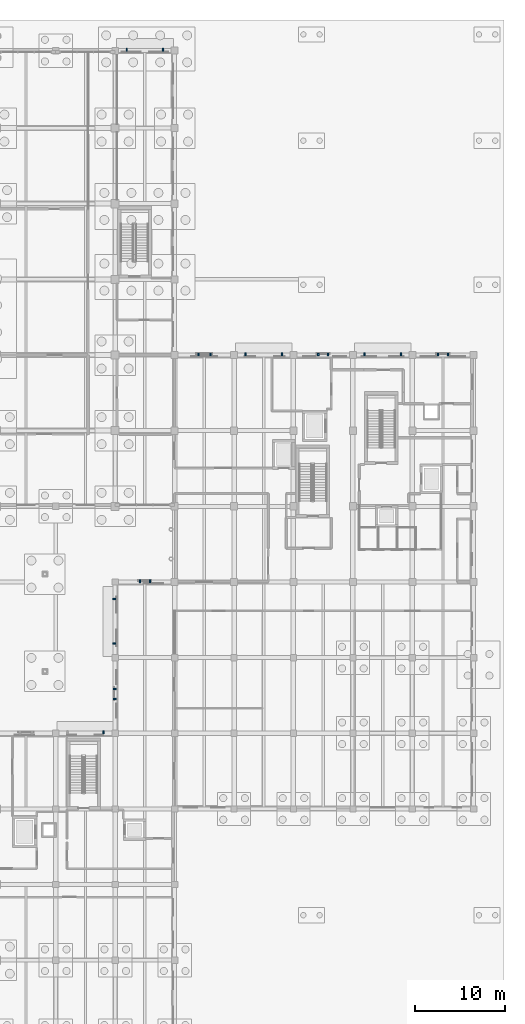
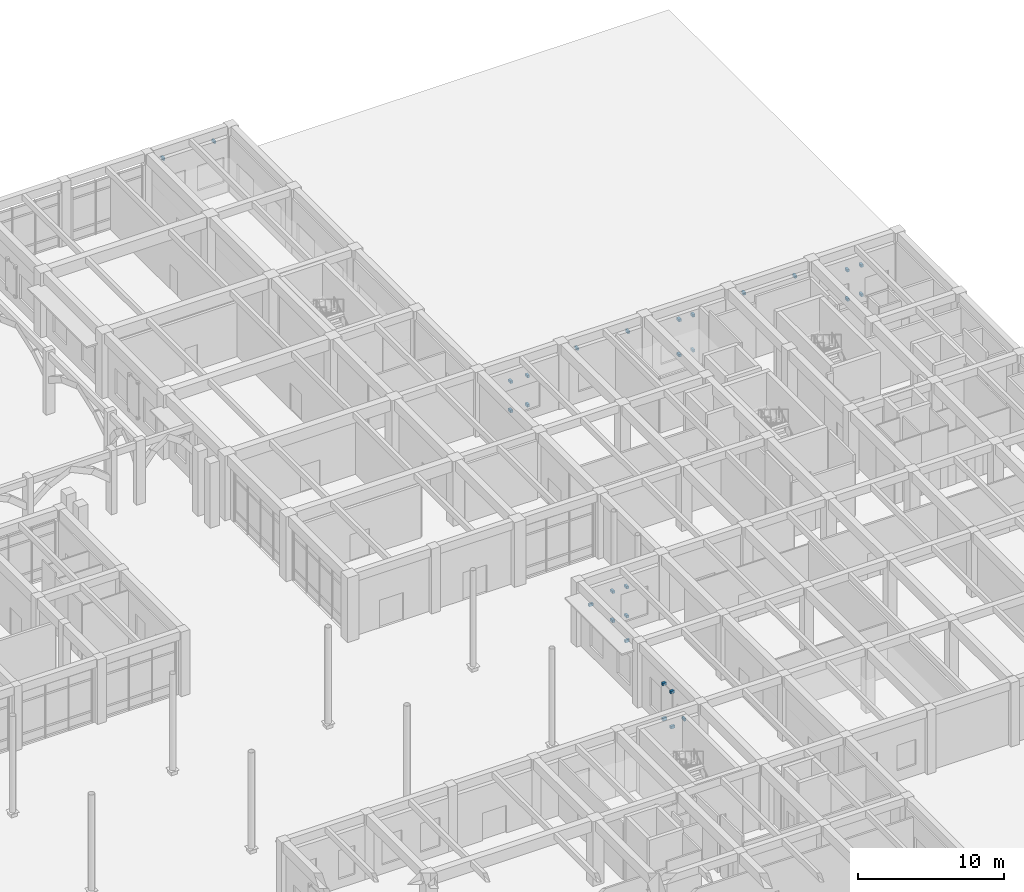
# One storey, part 70 of 82: 29 discrete accessories.
"""IFC4 building model written with IfcOpenShell, lengths in metres."""

import ifcopenshell
import ifcopenshell.guid

model = None  # the IFC model being written
_history = None  # IfcOwnerHistory: only IFC2X3 demands one
_inside = {}  # id of a spatial element -> (the spatial element, [elements in it])
_under = {}  # id of a project, library or spatial element -> (it, [spatial elements below it])
_declared = {}  # id of a project -> (the project, [libraries it declares])
_typed = {}  # id of a type object -> (the type object, [elements of that type])
_made_of = {}  # id of a material, layer set ... -> (it, [elements and type objects made of it])


def new_model(schema):
    """Start an empty IFC model of exactly this schema.

    Asked for "IFC4X3", IfcOpenShell would pick the latest addendum, in which some entities
    have other attributes; the version numbers below select the first issue.
    IFC2X3 requires an IfcOwnerHistory on every rooted entity: one is made here for all.
    """
    global model, _history
    if schema == "IFC4X3":
        model = ifcopenshell.file(schema_version=(4, 3, 0, 0))
    else:
        model = ifcopenshell.file(schema=schema)
    _inside.clear()
    _under.clear()
    _declared.clear()
    _typed.clear()
    _made_of.clear()
    _history = None
    if model.schema == "IFC2X3":
        org = make("IfcOrganization", Name="unknown")
        user = make(
            "IfcPersonAndOrganization",
            ThePerson=make("IfcPerson", FamilyName="unknown"),
            TheOrganization=org,
        )
        app = make(
            "IfcApplication",
            ApplicationDeveloper=org,
            Version="unknown",
            ApplicationFullName="unknown",
            ApplicationIdentifier="unknown",
        )
        _history = make(
            "IfcOwnerHistory",
            OwningUser=user,
            OwningApplication=app,
            ChangeAction="ADDED",
            CreationDate=0,
        )
    return model


def make(cls, **values):
    """One entity of the class cls with the attributes given. An attribute that is None is left unset."""
    return model.create_entity(
        cls, **{name: value for name, value in values.items() if value is not None}
    )


def rooted(cls, **values):
    """An entity with a GlobalId (a new one), such as an element, a storey or a relation."""
    return make(cls, GlobalId=ifcopenshell.guid.new(), OwnerHistory=_history, **values)


def si_unit(unit_type, name, prefix=None):
    """IfcSIUnit, for example si_unit("LENGTHUNIT", "METRE", prefix="MILLI")."""
    return make("IfcSIUnit", UnitType=unit_type, Prefix=prefix, Name=name)


def assignment(units):
    """IfcUnitAssignment: the units of a project."""
    return None if units is None else make("IfcUnitAssignment", Units=units)


def point(xyz):
    """IfcCartesianPoint."""
    return None if xyz is None else make("IfcCartesianPoint", Coordinates=xyz)


def direction(xyz):
    """IfcDirection."""
    return None if xyz is None else make("IfcDirection", DirectionRatios=xyz)


def frame(location, z_axis=None, x_axis=None):
    """IfcAxis2Placement3D, a coordinate frame: its origin and axes. An axis left out is left unset."""
    return make(
        "IfcAxis2Placement3D",
        Location=point(location),
        Axis=direction(z_axis),
        RefDirection=direction(x_axis),
    )


def frame_2d(location, x_axis=None):
    """IfcAxis2Placement2D, a coordinate frame in the plane: its origin and x axis."""
    return make(
        "IfcAxis2Placement2D", Location=point(location), RefDirection=direction(x_axis)
    )


def origin():
    """The frame at (0, 0, 0) with its axes left unset."""
    return frame((0.0, 0.0, 0.0))


def origin_2d():
    """The frame at (0, 0) in the plane with its x axis left unset."""
    return frame_2d((0.0, 0.0))


def place(relative_to, where):
    """IfcLocalPlacement: puts the frame where relative to a parent placement (None: the world)."""
    return make(
        "IfcLocalPlacement", PlacementRelTo=relative_to, RelativePlacement=where
    )


def context(
    kind, dimensions, precision=None, world=None, true_north=None, identifier=None
):
    """IfcGeometricRepresentationContext, for example the 3D "Model" context."""
    return make(
        "IfcGeometricRepresentationContext",
        ContextIdentifier=identifier,
        ContextType=kind,
        CoordinateSpaceDimension=dimensions,
        Precision=precision,
        WorldCoordinateSystem=world,
        TrueNorth=true_north,
    )


def subcontext(parent, identifier, kind, view, scale=None):
    """IfcGeometricRepresentationSubContext, for example "Body" below "Model"."""
    return make(
        "IfcGeometricRepresentationSubContext",
        ContextIdentifier=identifier,
        ContextType=kind,
        ParentContext=parent,
        TargetScale=scale,
        TargetView=view,
    )


def project(units=None, contexts=None):
    """IfcProject with its units and contexts."""
    return rooted(
        "IfcProject",
        Name="project",
        RepresentationContexts=contexts,
        UnitsInContext=assignment(units),
    )


def spatial(cls, under=None, at=None, **own):
    """A site, building, storey or space (cls), placed at a placement, below another one or the project."""
    s = rooted(cls, ObjectPlacement=at, **own)
    if under is not None:
        _under.setdefault(under.id(), (under, []))[1].append(s)
    return s


def profile(cls, at=None, kind="AREA", **sizes):
    """A parametric profile (cls). Its sizes go by their IFC names, for example OverallWidth=200.0."""
    return make(cls, ProfileType=kind, Position=at, **sizes)


def rectangle(**sizes):
    """IfcRectangleProfileDef."""
    return profile("IfcRectangleProfileDef", **sizes)


def extrude(swept, where, along, depth):
    """IfcExtrudedAreaSolid: the profile swept, set in the frame where, extruded along a direction by depth."""
    return make(
        "IfcExtrudedAreaSolid",
        SweptArea=swept,
        Position=where,
        ExtrudedDirection=direction(along),
        Depth=depth,
    )


def shape(context_of_items, identifier, shape_type, items):
    """IfcShapeRepresentation: the items that make up one representation, for example the "Body"."""
    return make(
        "IfcShapeRepresentation",
        ContextOfItems=context_of_items,
        RepresentationIdentifier=identifier,
        RepresentationType=shape_type,
        Items=items,
    )


def material(Name=None, Category=None):
    """IfcMaterial."""
    return make("IfcMaterial", Name=Name, Category=Category)


def made_of(thing, what):
    """Note that an element or type object is made of a material, layer set ...; save() writes the relation."""
    if what is not None:
        _made_of.setdefault(what.id(), (what, []))[1].append(thing)
    return thing


def type_object(cls, material=None, **own):
    """A type object (cls), such as IfcWallType, which elements share."""
    return made_of(rooted(cls, **own), material)


def element(
    cls,
    number,
    at=None,
    inside=None,
    cuts=None,
    type_object=None,
    material=None,
    context=None,
    identifier="Body",
    shape_type=None,
    held_by="IfcProductDefinitionShape",
    body=None,
    shapes=None,
    **own,
):
    """One element of the class cls, such as IfcWall. Its Tag is "e" and its number.

    at: its placement. inside: the storey or other place that contains it. cuts: it is an
    opening in that element (IfcRelVoidsElement). A single representation is given by context,
    identifier, shape_type and body (its items); several are given by shapes. held_by: the class
    of the entity that holds the representations. save() writes the other relations.
    """
    e = rooted(cls, Tag="e%d" % number, ObjectPlacement=at, **own)
    if body is not None:
        shapes = [shape(context, identifier, shape_type, body)]
    if shapes is not None:
        e.Representation = make(held_by, Representations=shapes)
    if inside is not None:
        _inside.setdefault(inside.id(), (inside, []))[1].append(e)
    if cuts is not None:
        rooted(
            "IfcRelVoidsElement", RelatingBuildingElement=cuts, RelatedOpeningElement=e
        )
    if type_object is not None:
        _typed.setdefault(type_object.id(), (type_object, []))[1].append(e)
    return made_of(e, material)


def aggregate(whole, parts):
    """IfcRelAggregates: a whole, such as a stair, and the parts it consists of."""
    return rooted("IfcRelAggregates", RelatingObject=whole, RelatedObjects=parts)


def save(model, path):
    """Write the relations noted so far, then the file.

    IfcRelAggregates (storeys below a building ...), IfcRelContainedInSpatialStructure (elements
    in a storey), IfcRelDefinesByType, IfcRelAssociatesMaterial and IfcRelDeclares: one each for
    every whole, place, type object, material and project.
    """
    for whole, parts in _under.values():
        aggregate(whole, parts)
    for where, things in _inside.values():
        rooted(
            "IfcRelContainedInSpatialStructure",
            RelatedElements=things,
            RelatingStructure=where,
        )
    for kind, things in _typed.values():
        rooted("IfcRelDefinesByType", RelatedObjects=things, RelatingType=kind)
    for what, things in _made_of.values():
        rooted("IfcRelAssociatesMaterial", RelatedObjects=things, RelatingMaterial=what)
    for by, libraries in _declared.values():
        rooted("IfcRelDeclares", RelatingContext=by, RelatedDefinitions=libraries)
    model.write(path)


model = new_model("IFC4")

# Units and contexts
model_context = context("Model", 3, precision=1e-05, world=origin(), true_north=direction((0.0, 1.0)))
body_context = subcontext(model_context, "Body", "Model", "MODEL_VIEW")
ifc_project = project(units=[si_unit("LENGTHUNIT", "METRE"), si_unit("AREAUNIT", "SQUARE_METRE"), si_unit("VOLUMEUNIT", "CUBIC_METRE"), si_unit("PLANEANGLEUNIT", "RADIAN"), si_unit("MASSUNIT", "GRAM", prefix="KILO")], contexts=[model_context])

# Site, building, storey
site_placement = place(None, origin())
site = spatial("IfcSite", under=ifc_project, at=site_placement, CompositionType="ELEMENT")
building_placement = place(site_placement, origin())
building = spatial("IfcBuilding", under=site, at=building_placement, Name="Kolvaren Faculty of Natural Sciences", CompositionType="ELEMENT")
storey_placement = place(building_placement, origin())
storey = spatial("IfcBuildingStorey", under=building, at=storey_placement, Name="L00", CompositionType="ELEMENT", Elevation=0.0)

# Discrete accessories
ifc_material = material(Name="Structural steel EN 10025-2 S355J2", Category="steel")
discrete_accessory_type = type_object("IfcDiscreteAccessoryType", Name="FacadeSupportBracket_260", PredefinedType="BRACKET", material=ifc_material)
for number, where, z_axis, x_axis, name in (
    (1, (132.139892578125, 46.01904296875, 0.81982421875), (0.0, 0.0, 1.0), (0.0, 1.0, 0.0), "L00 jali screen wall bracket"),
    (2, (132.139892578125, 47.12109375, 0.81982421875), (0.0, 0.0, 1.0), (0.0, 1.0, 0.0), "L00 jali screen wall bracket"),
    (3, (132.139892578125, 46.01904296875, 3.76025390625), (0.0, 0.0, 1.0), (0.0, 1.0, 0.0), "L00 jali screen wall bracket"),
    (4, (132.139892578125, 47.12109375, 3.76025390625), (0.0, 0.0, 1.0), (0.0, 1.0, 0.0), "L00 jali screen wall bracket"),
):
    element("IfcDiscreteAccessory", number, at=place(storey_placement, frame(where, z_axis=z_axis, x_axis=x_axis)), inside=storey, type_object=discrete_accessory_type, Name=name, PredefinedType="BRACKET", context=body_context, shape_type="SweptSolid", body=[
        extrude(rectangle(XDim=0.179931640625, YDim=0.320068359375, at=origin_2d()), origin(), (0.0, 0.0, 1.0), 0.219970703125),
    ])
for number, where, z_axis, x_axis, name in (
    (5, (132.10009765625, 52.146728515625, 4.31494140625), (0.0, 0.0, 1.0), (0.0, 1.0, 0.0), "L00 chhajja hood steel bracket"),
    (6, (132.10009765625, 57.11328125, 4.31494140625), (0.0, 0.0, 1.0), (0.0, 1.0, 0.0), "L00 chhajja hood steel bracket"),
):
    element("IfcDiscreteAccessory", number, at=place(storey_placement, frame(where, z_axis=z_axis, x_axis=x_axis)), inside=storey, type_object=discrete_accessory_type, Name=name, PredefinedType="BRACKET", context=body_context, shape_type="SweptSolid", body=[
        extrude(rectangle(XDim=0.159912109375, YDim=0.340087890625, at=origin_2d()), origin(), (0.0, 0.0, 1.0), 0.219970703125),
    ])
for number, where, z_axis, x_axis, name in (
    (7, (134.948974609375, 59.06005859375, 0.81982421875), (0.0, 0.0, 1.0), (1.0, 0.0, 0.0), "L00 jali screen wall bracket"),
    (8, (136.051025390625, 59.06005859375, 0.81982421875), (0.0, 0.0, 1.0), (1.0, 0.0, 0.0), "L00 jali screen wall bracket"),
    (9, (134.948974609375, 59.06005859375, 3.26025390625), (0.0, 0.0, 1.0), (1.0, 0.0, 0.0), "L00 jali screen wall bracket"),
    (10, (136.051025390625, 59.06005859375, 3.26025390625), (0.0, 0.0, 1.0), (1.0, 0.0, 0.0), "L00 jali screen wall bracket"),
):
    element("IfcDiscreteAccessory", number, at=place(storey_placement, frame(where, z_axis=z_axis, x_axis=x_axis)), inside=storey, type_object=discrete_accessory_type, Name=name, PredefinedType="BRACKET", context=body_context, shape_type="SweptSolid", body=[
        extrude(rectangle(XDim=0.179931640625, YDim=0.320068359375, at=origin_2d()), origin(), (0.0, 0.0, 1.0), 0.219970703125),
    ])
for number, where, z_axis, x_axis, name in (
    (11, (133.48388671875, 118.10009765625, 4.1650390625), (0.0, 0.0, 1.0), (1.0, 0.0, 0.0), "L00 chhajja hood steel bracket"),
    (12, (137.51611328125, 118.10009765625, 4.1650390625), (0.0, 0.0, 1.0), (1.0, 0.0, 0.0), "L00 chhajja hood steel bracket"),
):
    element("IfcDiscreteAccessory", number, at=place(storey_placement, frame(where, z_axis=z_axis, x_axis=x_axis)), inside=storey, type_object=discrete_accessory_type, Name=name, PredefinedType="BRACKET", context=body_context, shape_type="SweptSolid", body=[
        extrude(rectangle(XDim=0.159912109375, YDim=0.340087890625, at=origin_2d()), origin(), (0.0, 0.0, 1.0), 0.219970703125),
    ])
for number, where, z_axis, x_axis, name in (
    (13, (141.43505859375, 84.260009765625, 0.81982421875), (0.0, 0.0, 1.0), (1.0, 0.0, 0.0), "L00 jali screen wall bracket"),
    (14, (142.764892578125, 84.260009765625, 0.81982421875), (0.0, 0.0, 1.0), (1.0, 0.0, 0.0), "L00 jali screen wall bracket"),
    (15, (141.43505859375, 84.260009765625, 3.26025390625), (0.0, 0.0, 1.0), (1.0, 0.0, 0.0), "L00 jali screen wall bracket"),
    (16, (142.764892578125, 84.260009765625, 3.26025390625), (0.0, 0.0, 1.0), (1.0, 0.0, 0.0), "L00 jali screen wall bracket"),
):
    element("IfcDiscreteAccessory", number, at=place(storey_placement, frame(where, z_axis=z_axis, x_axis=x_axis)), inside=storey, type_object=discrete_accessory_type, Name=name, PredefinedType="BRACKET", context=body_context, shape_type="SweptSolid", body=[
        extrude(rectangle(XDim=0.179931640625, YDim=0.320068359375, at=origin_2d()), origin(), (0.0, 0.0, 1.0), 0.219970703125),
    ])
for number, where, z_axis, x_axis, name in (
    (17, (146.68408203125, 84.300048828125, 4.1650390625), (0.0, 0.0, 1.0), (1.0, 0.0, 0.0), "L00 chhajja hood steel bracket"),
    (18, (150.716064453125, 84.300048828125, 4.1650390625), (0.0, 0.0, 1.0), (1.0, 0.0, 0.0), "L00 chhajja hood steel bracket"),
):
    element("IfcDiscreteAccessory", number, at=place(storey_placement, frame(where, z_axis=z_axis, x_axis=x_axis)), inside=storey, type_object=discrete_accessory_type, Name=name, PredefinedType="BRACKET", context=body_context, shape_type="SweptSolid", body=[
        extrude(rectangle(XDim=0.159912109375, YDim=0.340087890625, at=origin_2d()), origin(), (0.0, 0.0, 1.0), 0.219970703125),
    ])
for number, where, z_axis, x_axis, name in (
    (19, (154.7490234375, 84.260009765625, 0.81982421875), (0.0, 0.0, 1.0), (1.0, 0.0, 0.0), "L00 jali screen wall bracket"),
    (20, (155.85107421875, 84.260009765625, 0.81982421875), (0.0, 0.0, 1.0), (1.0, 0.0, 0.0), "L00 jali screen wall bracket"),
    (21, (154.7490234375, 84.260009765625, 3.76025390625), (0.0, 0.0, 1.0), (1.0, 0.0, 0.0), "L00 jali screen wall bracket"),
    (22, (155.85107421875, 84.260009765625, 3.76025390625), (0.0, 0.0, 1.0), (1.0, 0.0, 0.0), "L00 jali screen wall bracket"),
):
    element("IfcDiscreteAccessory", number, at=place(storey_placement, frame(where, z_axis=z_axis, x_axis=x_axis)), inside=storey, type_object=discrete_accessory_type, Name=name, PredefinedType="BRACKET", context=body_context, shape_type="SweptSolid", body=[
        extrude(rectangle(XDim=0.179931640625, YDim=0.320068359375, at=origin_2d()), origin(), (0.0, 0.0, 1.0), 0.219970703125),
    ])
for number, where, z_axis, x_axis, name in (
    (23, (159.884033203125, 84.300048828125, 4.1650390625), (0.0, 0.0, 1.0), (1.0, 0.0, 0.0), "L00 chhajja hood steel bracket"),
    (24, (163.916015625, 84.300048828125, 4.1650390625), (0.0, 0.0, 1.0), (1.0, 0.0, 0.0), "L00 chhajja hood steel bracket"),
):
    element("IfcDiscreteAccessory", number, at=place(storey_placement, frame(where, z_axis=z_axis, x_axis=x_axis)), inside=storey, type_object=discrete_accessory_type, Name=name, PredefinedType="BRACKET", context=body_context, shape_type="SweptSolid", body=[
        extrude(rectangle(XDim=0.159912109375, YDim=0.340087890625, at=origin_2d()), origin(), (0.0, 0.0, 1.0), 0.219970703125),
    ])
for number, where, z_axis, x_axis, name in (
    (25, (168.049072265625, 84.260009765625, 0.81982421875), (0.0, 0.0, 1.0), (1.0, 0.0, 0.0), "L00 jali screen wall bracket"),
    (26, (169.15087890625, 84.260009765625, 0.81982421875), (0.0, 0.0, 1.0), (1.0, 0.0, 0.0), "L00 jali screen wall bracket"),
    (27, (168.049072265625, 84.260009765625, 3.26025390625), (0.0, 0.0, 1.0), (1.0, 0.0, 0.0), "L00 jali screen wall bracket"),
    (28, (169.15087890625, 84.260009765625, 3.26025390625), (0.0, 0.0, 1.0), (1.0, 0.0, 0.0), "L00 jali screen wall bracket"),
):
    element("IfcDiscreteAccessory", number, at=place(storey_placement, frame(where, z_axis=z_axis, x_axis=x_axis)), inside=storey, type_object=discrete_accessory_type, Name=name, PredefinedType="BRACKET", context=body_context, shape_type="SweptSolid", body=[
        extrude(rectangle(XDim=0.179931640625, YDim=0.320068359375, at=origin_2d()), origin(), (0.0, 0.0, 1.0), 0.219970703125),
    ])
discrete_accessory_placement = place(storey_placement, frame((130.916015625, 42.300048828125, 4.1650390625), z_axis=(0.0, 0.0, 1.0), x_axis=(1.0, 0.0, 0.0)))
element("IfcDiscreteAccessory", 29, at=discrete_accessory_placement, inside=storey, type_object=discrete_accessory_type, Name="L00 chhajja hood steel bracket", PredefinedType="BRACKET", context=body_context, shape_type="SweptSolid", body=[
    extrude(rectangle(XDim=0.159912109375, YDim=0.340087890625, at=origin_2d()), origin(), (0.0, 0.0, 1.0), 0.219970703125),
])

save(model, "model.ifc")
